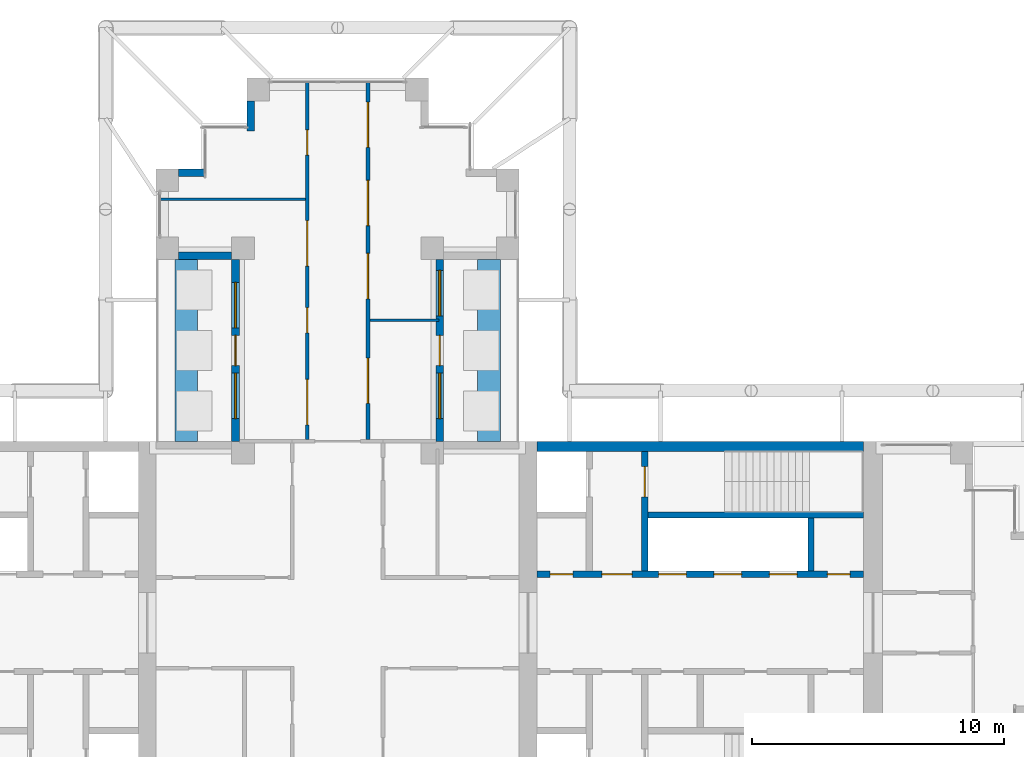
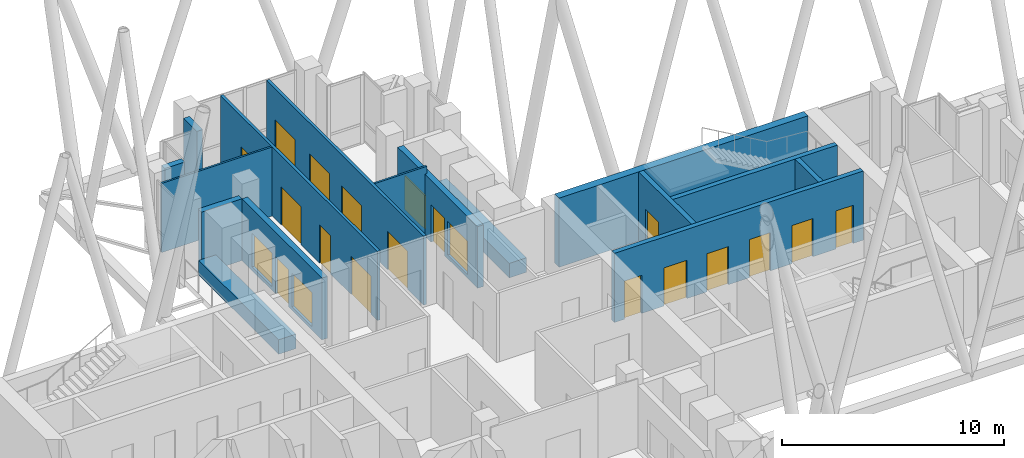
# One storey, part 14 of 19: 17 doors, 16 walls, 4 windows, 21 openings.
"""IFC4 building model written with IfcOpenShell, lengths in metres."""

from ifc_helpers import new_model, si_unit, direction, frame, frame_2d, origin, place, context, subcontext, project, spatial, rectangle, extrude, material, layer, layer_set, type_object, element, fill, save


model = new_model("IFC4")

# Units and contexts
model_context = context("Model", 3, precision=1e-05, world=origin(), true_north=direction((0.0, 1.0)))
body_context = subcontext(model_context, "Body", "Model", "MODEL_VIEW")
ifc_project = project(units=[si_unit("LENGTHUNIT", "METRE"), si_unit("AREAUNIT", "SQUARE_METRE"), si_unit("VOLUMEUNIT", "CUBIC_METRE"), si_unit("PLANEANGLEUNIT", "RADIAN"), si_unit("MASSUNIT", "GRAM", prefix="KILO")], contexts=[model_context])

# Site, building, storey
site_placement = place(None, origin())
site = spatial("IfcSite", under=ifc_project, at=site_placement, CompositionType="ELEMENT")
building_placement = place(site_placement, origin())
building = spatial("IfcBuilding", under=site, at=building_placement, Name="Fustian Cross Tower", CompositionType="ELEMENT")
storey_placement = place(building_placement, frame((0.0, 0.0, 166.5)))
storey = spatial("IfcBuildingStorey", under=building, at=storey_placement, Name="L52", CompositionType="ELEMENT", Elevation=166.5)

# Wall, openings, doors
ifc_material_1 = material(Name="Plasterboard on steel stud", Category="steel")
ifc_layer_1 = layer(ifc_material_1, 0.14990234375)
ifc_layer_set_1 = layer_set([ifc_layer_1], Name="Plasterboard on steel stud")
wall_type_1 = type_object("IfcWallType", Name="COMPARTMENT WALL 150 EI 60", PredefinedType="PARTITIONING", material=ifc_layer_set_1)
wall_1_placement = place(storey_placement, frame((-1.199951171875, 7.27490234375, 0.0), z_axis=(0.0, 0.0, 1.0), x_axis=(0.0, 1.0, 0.0)))
wall_1 = element("IfcWall", 1, at=wall_1_placement, inside=storey, type_object=wall_type_1, Name="Partition 14", PredefinedType="PARTITIONING", context=body_context, shape_type="SweptSolid", body=[
    extrude(rectangle(XDim=14.14501953125, YDim=0.14990234375, at=frame_2d((7.072509765625, 0.0))), origin(), (0.0, 0.0, 1.0), 3.800048828125),
])
opening_1_placement = place(wall_1_placement, frame((0.574951171875, 0.0, 0.0)))
opening_1 = element("IfcOpeningElement", 2, at=opening_1_placement, cuts=wall_1, Name="Opening D24014", PredefinedType="OPENING", context=body_context, shape_type="SweptSolid", body=[
    extrude(rectangle(XDim=1.800048828125, YDim=2.10009765625, at=frame_2d((0.89990234375, 1.050048828125))), frame((0.0, 0.0849609375, 0.0), z_axis=(0.0, -1.0, 0.0), x_axis=(1.0, 0.0, 0.0)), (0.0, 0.0, 1.0), 0.169921875),
])
opening_2_placement = place(wall_1_placement, frame((4.22509765625, 0.0, 0.0)))
opening_2 = element("IfcOpeningElement", 3, at=opening_2_placement, cuts=wall_1, Name="Opening D24015", PredefinedType="OPENING", context=body_context, shape_type="SweptSolid", body=[
    extrude(rectangle(XDim=1.0, YDim=2.10009765625, at=frame_2d((0.5, 1.050048828125))), frame((0.0, 0.0849609375, 0.0), z_axis=(0.0, -1.0, 0.0), x_axis=(1.0, 0.0, 0.0)), (0.0, 0.0, 1.0), 0.169921875),
])
opening_3_placement = place(wall_1_placement, frame((6.875, 0.0, 0.0)))
opening_3 = element("IfcOpeningElement", 4, at=opening_3_placement, cuts=wall_1, Name="Opening D24016", PredefinedType="OPENING", context=body_context, shape_type="SweptSolid", body=[
    extrude(rectangle(XDim=1.800048828125, YDim=2.10009765625, at=frame_2d((0.89990234375, 1.050048828125))), frame((0.0, 0.0849609375, 0.0), z_axis=(0.0, -1.0, 0.0), x_axis=(1.0, 0.0, 0.0)), (0.0, 0.0, 1.0), 0.169921875),
])
opening_4_placement = place(wall_1_placement, frame((11.27490234375, 0.0, 0.0)))
opening_4 = element("IfcOpeningElement", 5, at=opening_4_placement, cuts=wall_1, Name="Opening D24017", PredefinedType="OPENING", context=body_context, shape_type="SweptSolid", body=[
    extrude(rectangle(XDim=1.0, YDim=2.10009765625, at=frame_2d((0.5, 1.050048828125))), frame((0.0, 0.0849609375, 0.0), z_axis=(0.0, -1.0, 0.0), x_axis=(1.0, 0.0, 0.0)), (0.0, 0.0, 1.0), 0.169921875),
])
ifc_material_2 = material(Name="Timber fire door set", Category="wood")
door_type_1 = type_object("IfcDoorType", Name="FIRE DOUBLE DOOR 1800 FD30S", OperationType="DOUBLE_DOOR_DOUBLE_SWING", PredefinedType="DOOR", material=ifc_material_2)
door_1_placement = place(opening_1_placement, frame((1.800048828125, 0.0, 0.0), z_axis=(0.0, 0.0, 1.0), x_axis=(-1.0, 0.0, 0.0)))
door_1 = element("IfcDoor", 6, at=door_1_placement, inside=storey, type_object=door_type_1, Name="Door D24014", OperationType="DOUBLE_DOOR_DOUBLE_SWING", OverallHeight=2.10009765625, OverallWidth=1.800048828125, PredefinedType="DOOR", context=body_context, shape_type="SweptSolid", body=[
    extrude(rectangle(XDim=1.800048828125, YDim=2.10009765625, at=frame_2d((0.89990234375, 1.050048828125))), frame((0.0, 0.02490234375, 0.0), z_axis=(0.0, -1.0, 0.0), x_axis=(1.0, 0.0, 0.0)), (0.0, 0.0, 1.0), 0.050048828125),
])
fill(opening_1, door_1)
door_2_placement = place(opening_3_placement, frame((1.800048828125, 0.0, 0.0), z_axis=(0.0, 0.0, 1.0), x_axis=(-1.0, 0.0, 0.0)))
door_2 = element("IfcDoor", 7, at=door_2_placement, inside=storey, type_object=door_type_1, Name="Door D24016", OperationType="DOUBLE_DOOR_DOUBLE_SWING", OverallHeight=2.10009765625, OverallWidth=1.800048828125, PredefinedType="DOOR", context=body_context, shape_type="SweptSolid", body=[
    extrude(rectangle(XDim=1.800048828125, YDim=2.10009765625, at=frame_2d((0.89990234375, 1.050048828125))), frame((0.0, 0.02490234375, 0.0), z_axis=(0.0, -1.0, 0.0), x_axis=(1.0, 0.0, 0.0)), (0.0, 0.0, 1.0), 0.050048828125),
])
fill(opening_3, door_2)
ifc_material_3 = material(Name="Timber fire door set", Category="wood")
door_type_2 = type_object("IfcDoorType", Name="FIRE SWING DOOR 1000 FD30S", OperationType="SINGLE_SWING_LEFT", PredefinedType="DOOR", material=ifc_material_3)
door_3_placement = place(opening_2_placement, origin())
door_3 = element("IfcDoor", 8, at=door_3_placement, inside=storey, type_object=door_type_2, Name="Door D24015", OperationType="SINGLE_SWING_LEFT", OverallHeight=2.10009765625, OverallWidth=1.0, PredefinedType="DOOR", context=body_context, shape_type="SweptSolid", body=[
    extrude(rectangle(XDim=1.0, YDim=2.10009765625, at=frame_2d((0.5, 1.050048828125))), frame((0.0, 0.02490234375, 0.0), z_axis=(0.0, -1.0, 0.0), x_axis=(1.0, 0.0, 0.0)), (0.0, 0.0, 1.0), 0.050048828125),
])
fill(opening_2, door_3)
door_4_placement = place(opening_4_placement, origin())
door_4 = element("IfcDoor", 9, at=door_4_placement, inside=storey, type_object=door_type_2, Name="Door D24017", OperationType="SINGLE_SWING_LEFT", OverallHeight=2.10009765625, OverallWidth=1.0, PredefinedType="DOOR", context=body_context, shape_type="SweptSolid", body=[
    extrude(rectangle(XDim=1.0, YDim=2.10009765625, at=frame_2d((0.5, 1.050048828125))), frame((0.0, 0.02490234375, 0.0), z_axis=(0.0, -1.0, 0.0), x_axis=(1.0, 0.0, 0.0)), (0.0, 0.0, 1.0), 0.050048828125),
])
fill(opening_4, door_4)

wall_2_placement = place(storey_placement, frame((1.199951171875, 7.27490234375, 0.0), z_axis=(0.0, 0.0, 1.0), x_axis=(0.0, 1.0, 0.0)))
wall_2 = element("IfcWall", 10, at=wall_2_placement, inside=storey, type_object=wall_type_1, Name="Partition 15", PredefinedType="PARTITIONING", context=body_context, shape_type="SweptSolid", body=[
    extrude(rectangle(XDim=14.14501953125, YDim=0.14990234375, at=frame_2d((7.072509765625, 0.0))), origin(), (0.0, 0.0, 1.0), 3.800048828125),
])
opening_5_placement = place(wall_2_placement, frame((1.425048828125, 0.0, 0.0)))
opening_5 = element("IfcOpeningElement", 11, at=opening_5_placement, cuts=wall_2, Name="Opening D24018", PredefinedType="OPENING", context=body_context, shape_type="SweptSolid", body=[
    extrude(rectangle(XDim=1.800048828125, YDim=2.10009765625, at=frame_2d((0.89990234375, 1.050048828125))), frame((0.0, 0.0849609375, 0.0), z_axis=(0.0, -1.0, 0.0), x_axis=(1.0, 0.0, 0.0)), (0.0, 0.0, 1.0), 0.169921875),
])
opening_6_placement = place(wall_2_placement, frame((5.574951171875, 0.0, 0.0)))
opening_6 = element("IfcOpeningElement", 12, at=opening_6_placement, cuts=wall_2, Name="Opening D24019", PredefinedType="OPENING", context=body_context, shape_type="SweptSolid", body=[
    extrude(rectangle(XDim=1.800048828125, YDim=2.10009765625, at=frame_2d((0.89990234375, 1.050048828125))), frame((0.0, 0.0849609375, 0.0), z_axis=(0.0, -1.0, 0.0), x_axis=(1.0, 0.0, 0.0)), (0.0, 0.0, 1.0), 0.169921875),
])
opening_7_placement = place(wall_2_placement, frame((8.47509765625, 0.0, 0.0)))
opening_7 = element("IfcOpeningElement", 13, at=opening_7_placement, cuts=wall_2, Name="Opening D24020", PredefinedType="OPENING", context=body_context, shape_type="SweptSolid", body=[
    extrude(rectangle(XDim=1.800048828125, YDim=2.10009765625, at=frame_2d((0.89990234375, 1.050048828125))), frame((0.0, 0.0849609375, 0.0), z_axis=(0.0, -1.0, 0.0), x_axis=(1.0, 0.0, 0.0)), (0.0, 0.0, 1.0), 0.169921875),
])
opening_8_placement = place(wall_2_placement, frame((11.574951171875, 0.0, 0.0)))
opening_8 = element("IfcOpeningElement", 14, at=opening_8_placement, cuts=wall_2, Name="Opening D24021", PredefinedType="OPENING", context=body_context, shape_type="SweptSolid", body=[
    extrude(rectangle(XDim=1.800048828125, YDim=2.10009765625, at=frame_2d((0.89990234375, 1.050048828125))), frame((0.0, 0.0849609375, 0.0), z_axis=(0.0, -1.0, 0.0), x_axis=(1.0, 0.0, 0.0)), (0.0, 0.0, 1.0), 0.169921875),
])
door_5_placement = place(opening_5_placement, origin())
door_5 = element("IfcDoor", 15, at=door_5_placement, inside=storey, type_object=door_type_1, Name="Door D24018", OperationType="DOUBLE_DOOR_DOUBLE_SWING", OverallHeight=2.10009765625, OverallWidth=1.800048828125, PredefinedType="DOOR", context=body_context, shape_type="SweptSolid", body=[
    extrude(rectangle(XDim=1.800048828125, YDim=2.10009765625, at=frame_2d((0.89990234375, 1.050048828125))), frame((0.0, 0.02490234375, 0.0), z_axis=(0.0, -1.0, 0.0), x_axis=(1.0, 0.0, 0.0)), (0.0, 0.0, 1.0), 0.050048828125),
])
fill(opening_5, door_5)
door_6_placement = place(opening_6_placement, origin())
door_6 = element("IfcDoor", 16, at=door_6_placement, inside=storey, type_object=door_type_1, Name="Door D24019", OperationType="DOUBLE_DOOR_DOUBLE_SWING", OverallHeight=2.10009765625, OverallWidth=1.800048828125, PredefinedType="DOOR", context=body_context, shape_type="SweptSolid", body=[
    extrude(rectangle(XDim=1.800048828125, YDim=2.10009765625, at=frame_2d((0.89990234375, 1.050048828125))), frame((0.0, 0.02490234375, 0.0), z_axis=(0.0, -1.0, 0.0), x_axis=(1.0, 0.0, 0.0)), (0.0, 0.0, 1.0), 0.050048828125),
])
fill(opening_6, door_6)
door_7_placement = place(opening_7_placement, origin())
door_7 = element("IfcDoor", 17, at=door_7_placement, inside=storey, type_object=door_type_1, Name="Door D24020", OperationType="DOUBLE_DOOR_DOUBLE_SWING", OverallHeight=2.10009765625, OverallWidth=1.800048828125, PredefinedType="DOOR", context=body_context, shape_type="SweptSolid", body=[
    extrude(rectangle(XDim=1.800048828125, YDim=2.10009765625, at=frame_2d((0.89990234375, 1.050048828125))), frame((0.0, 0.02490234375, 0.0), z_axis=(0.0, -1.0, 0.0), x_axis=(1.0, 0.0, 0.0)), (0.0, 0.0, 1.0), 0.050048828125),
])
fill(opening_7, door_7)
door_8_placement = place(opening_8_placement, origin())
door_8 = element("IfcDoor", 18, at=door_8_placement, inside=storey, type_object=door_type_1, Name="Door D24021", OperationType="DOUBLE_DOOR_DOUBLE_SWING", OverallHeight=2.10009765625, OverallWidth=1.800048828125, PredefinedType="DOOR", context=body_context, shape_type="SweptSolid", body=[
    extrude(rectangle(XDim=1.800048828125, YDim=2.10009765625, at=frame_2d((0.89990234375, 1.050048828125))), frame((0.0, 0.02490234375, 0.0), z_axis=(0.0, -1.0, 0.0), x_axis=(1.0, 0.0, 0.0)), (0.0, 0.0, 1.0), 0.050048828125),
])
fill(opening_8, door_8)

# Wall
ifc_material_4 = material(Name="Concrete C50/60", Category="concrete")
ifc_layer_2 = layer(ifc_material_4, 0.39990234375)
ifc_layer_set_2 = layer_set([ifc_layer_2], Name="Concrete C50/60")
wall_type_2 = type_object("IfcWallType", Name="CORE FACADE WALL 400 C50/60", PredefinedType="SHEAR", material=ifc_layer_set_2)
wall_3_placement = place(storey_placement, frame((7.89990234375, 7.0, 0.0), z_axis=(0.0, 0.0, 1.0), x_axis=(1.0, 0.0, 0.0)))
element("IfcWall", 19, at=wall_3_placement, inside=storey, type_object=wall_type_2, Name="Core facade wall", PredefinedType="SHEAR", context=body_context, shape_type="SweptSolid", body=[
    extrude(rectangle(XDim=12.9501953125, YDim=0.39990234375, at=frame_2d((6.47509765625, 0.0))), origin(), (0.0, 0.0, 1.0), 3.800048828125),
])

# Wall, openings, doors
ifc_material_5 = material(Name="Concrete C50/60", Category="concrete")
ifc_layer_3 = layer(ifc_material_5, 0.25)
ifc_layer_set_3 = layer_set([ifc_layer_3], Name="Concrete C50/60")
wall_type_3 = type_object("IfcWallType", Name="CORE LOBBY WALL 250 C50/60", PredefinedType="SHEAR", material=ifc_layer_set_3)
wall_4_placement = place(storey_placement, frame((7.89990234375, 1.925048828125, 0.0), z_axis=(0.0, 0.0, 1.0), x_axis=(1.0, 0.0, 0.0)))
wall_4 = element("IfcWall", 20, at=wall_4_placement, inside=storey, type_object=wall_type_3, Name="Core lobby wall", PredefinedType="SHEAR", context=body_context, shape_type="SweptSolid", body=[
    extrude(rectangle(XDim=12.9501953125, YDim=0.25, at=frame_2d((6.47509765625, 0.0))), origin(), (0.0, 0.0, 1.0), 3.800048828125),
])
opening_9_placement = place(wall_4_placement, frame((4.824951171875, 0.0, 0.0)))
opening_9 = element("IfcOpeningElement", 21, at=opening_9_placement, cuts=wall_4, Name="Opening LD", PredefinedType="OPENING", context=body_context, shape_type="SweptSolid", body=[
    extrude(rectangle(XDim=1.10009765625, YDim=2.10009765625, at=frame_2d((0.550048828125, 1.050048828125))), frame((0.0, 0.135009765625, 0.0), z_axis=(0.0, -1.0, 0.0), x_axis=(1.0, 0.0, 0.0)), (0.0, 0.0, 1.0), 0.27001953125),
])
opening_10_placement = place(wall_4_placement, frame((7.02490234375, 0.0, 0.0)))
opening_10 = element("IfcOpeningElement", 22, at=opening_10_placement, cuts=wall_4, Name="Opening LD", PredefinedType="OPENING", context=body_context, shape_type="SweptSolid", body=[
    extrude(rectangle(XDim=1.10009765625, YDim=2.10009765625, at=frame_2d((0.550048828125, 1.050048828125))), frame((0.0, 0.135009765625, 0.0), z_axis=(0.0, -1.0, 0.0), x_axis=(1.0, 0.0, 0.0)), (0.0, 0.0, 1.0), 0.27001953125),
])
opening_11_placement = place(wall_4_placement, frame((9.22509765625, 0.0, 0.0)))
opening_11 = element("IfcOpeningElement", 23, at=opening_11_placement, cuts=wall_4, Name="Opening LD", PredefinedType="OPENING", context=body_context, shape_type="SweptSolid", body=[
    extrude(rectangle(XDim=1.10009765625, YDim=2.10009765625, at=frame_2d((0.550048828125, 1.050048828125))), frame((0.0, 0.135009765625, 0.0), z_axis=(0.0, -1.0, 0.0), x_axis=(1.0, 0.0, 0.0)), (0.0, 0.0, 1.0), 0.27001953125),
])
opening_12_placement = place(wall_4_placement, frame((0.52490234375, 0.0, 0.0)))
opening_12 = element("IfcOpeningElement", 24, at=opening_12_placement, cuts=wall_4, Name="Opening CD-21-08", PredefinedType="OPENING", context=body_context, shape_type="SweptSolid", body=[
    extrude(rectangle(XDim=0.89990234375, YDim=2.10009765625, at=frame_2d((0.449951171875, 1.050048828125))), frame((0.0, 0.135009765625, 0.0), z_axis=(0.0, -1.0, 0.0), x_axis=(1.0, 0.0, 0.0)), (0.0, 0.0, 1.0), 0.27001953125),
])
opening_13_placement = place(wall_4_placement, frame((2.574951171875, 0.0, 0.0)))
opening_13 = element("IfcOpeningElement", 25, at=opening_13_placement, cuts=wall_4, Name="Opening CD-21-10", PredefinedType="OPENING", context=body_context, shape_type="SweptSolid", body=[
    extrude(rectangle(XDim=1.199951171875, YDim=2.10009765625, at=frame_2d((0.60009765625, 1.050048828125))), frame((0.0, 0.135009765625, 0.0), z_axis=(0.0, -1.0, 0.0), x_axis=(1.0, 0.0, 0.0)), (0.0, 0.0, 1.0), 0.27001953125),
])
opening_14_placement = place(wall_4_placement, frame((11.52490234375, 0.0, 0.0)))
opening_14 = element("IfcOpeningElement", 26, at=opening_14_placement, cuts=wall_4, Name="Opening CD-21-14", PredefinedType="OPENING", context=body_context, shape_type="SweptSolid", body=[
    extrude(rectangle(XDim=0.89990234375, YDim=2.10009765625, at=frame_2d((0.449951171875, 1.050048828125))), frame((0.0, 0.135009765625, 0.0), z_axis=(0.0, -1.0, 0.0), x_axis=(1.0, 0.0, 0.0)), (0.0, 0.0, 1.0), 0.27001953125),
])
ifc_material_6 = material(Name="Steel", Category="steel")
door_type_3 = type_object("IfcDoorType", Name="FIRE DOOR FD30S 900X2100", OperationType="SINGLE_SWING_LEFT", PredefinedType="DOOR", material=ifc_material_6)
door_9_placement = place(opening_14_placement, origin())
door_9 = element("IfcDoor", 27, at=door_9_placement, inside=storey, type_object=door_type_3, Name="Core door CD-21-14", OperationType="SINGLE_SWING_LEFT", OverallHeight=2.10009765625, OverallWidth=0.89990234375, PredefinedType="DOOR", context=body_context, shape_type="SweptSolid", body=[
    extrude(rectangle(XDim=0.89990234375, YDim=2.10009765625, at=frame_2d((0.449951171875, 1.050048828125))), frame((0.0, 0.02490234375, 0.0), z_axis=(0.0, -1.0, 0.0), x_axis=(1.0, 0.0, 0.0)), (0.0, 0.0, 1.0), 0.050048828125),
])
fill(opening_14, door_9)
ifc_material_7 = material(Name="Steel", Category="steel")
door_type_4 = type_object("IfcDoorType", Name="FIRE DOOR FD60S 1200X2100", OperationType="SINGLE_SWING_LEFT", PredefinedType="DOOR", material=ifc_material_7)
door_10_placement = place(opening_13_placement, frame((1.199951171875, 0.0, 0.0), z_axis=(0.0, 0.0, 1.0), x_axis=(-1.0, 0.0, 0.0)))
door_10 = element("IfcDoor", 28, at=door_10_placement, inside=storey, type_object=door_type_4, Name="Core door CD-21-10", OperationType="SINGLE_SWING_RIGHT", OverallHeight=2.10009765625, OverallWidth=1.199951171875, PredefinedType="DOOR", context=body_context, shape_type="SweptSolid", body=[
    extrude(rectangle(XDim=1.199951171875, YDim=2.10009765625, at=frame_2d((0.60009765625, 1.050048828125))), frame((0.0, 0.02490234375, 0.0), z_axis=(0.0, -1.0, 0.0), x_axis=(1.0, 0.0, 0.0)), (0.0, 0.0, 1.0), 0.050048828125),
])
fill(opening_13, door_10)
ifc_material_8 = material(Name="Steel", Category="steel")
door_type_5 = type_object("IfcDoorType", Name="FIRE DOOR FD60S 900X2100", OperationType="SINGLE_SWING_LEFT", PredefinedType="DOOR", material=ifc_material_8)
door_11_placement = place(opening_12_placement, origin())
door_11 = element("IfcDoor", 29, at=door_11_placement, inside=storey, type_object=door_type_5, Name="Core door CD-21-08", OperationType="SINGLE_SWING_LEFT", OverallHeight=2.10009765625, OverallWidth=0.89990234375, PredefinedType="DOOR", context=body_context, shape_type="SweptSolid", body=[
    extrude(rectangle(XDim=0.89990234375, YDim=2.10009765625, at=frame_2d((0.449951171875, 1.050048828125))), frame((0.0, 0.02490234375, 0.0), z_axis=(0.0, -1.0, 0.0), x_axis=(1.0, 0.0, 0.0)), (0.0, 0.0, 1.0), 0.050048828125),
])
fill(opening_12, door_11)
ifc_material_9 = material(Name="Stainless steel", Category="steel")
door_type_6 = type_object("IfcDoorType", Name="LIFT LANDING DOOR 1100X2100", OperationType="SLIDING_TO_LEFT", PredefinedType="DOOR", material=ifc_material_9)
door_12_placement = place(opening_9_placement, origin())
door_12 = element("IfcDoor", 30, at=door_12_placement, inside=storey, type_object=door_type_6, Name="Landing door HR1", OperationType="SLIDING_TO_LEFT", OverallHeight=2.10009765625, OverallWidth=1.10009765625, PredefinedType="DOOR", context=body_context, shape_type="SweptSolid", body=[
    extrude(rectangle(XDim=1.10009765625, YDim=2.10009765625, at=frame_2d((0.550048828125, 1.050048828125))), frame((0.0, 0.02490234375, 0.0), z_axis=(0.0, -1.0, 0.0), x_axis=(1.0, 0.0, 0.0)), (0.0, 0.0, 1.0), 0.050048828125),
])
fill(opening_9, door_12)
door_13_placement = place(opening_10_placement, origin())
door_13 = element("IfcDoor", 31, at=door_13_placement, inside=storey, type_object=door_type_6, Name="Landing door HR2", OperationType="SLIDING_TO_LEFT", OverallHeight=2.10009765625, OverallWidth=1.10009765625, PredefinedType="DOOR", context=body_context, shape_type="SweptSolid", body=[
    extrude(rectangle(XDim=1.10009765625, YDim=2.10009765625, at=frame_2d((0.550048828125, 1.050048828125))), frame((0.0, 0.02490234375, 0.0), z_axis=(0.0, -1.0, 0.0), x_axis=(1.0, 0.0, 0.0)), (0.0, 0.0, 1.0), 0.050048828125),
])
fill(opening_10, door_13)
door_14_placement = place(opening_11_placement, origin())
door_14 = element("IfcDoor", 32, at=door_14_placement, inside=storey, type_object=door_type_6, Name="Landing door HR3", OperationType="SLIDING_TO_LEFT", OverallHeight=2.10009765625, OverallWidth=1.10009765625, PredefinedType="DOOR", context=body_context, shape_type="SweptSolid", body=[
    extrude(rectangle(XDim=1.10009765625, YDim=2.10009765625, at=frame_2d((0.550048828125, 1.050048828125))), frame((0.0, 0.02490234375, 0.0), z_axis=(0.0, -1.0, 0.0), x_axis=(1.0, 0.0, 0.0)), (0.0, 0.0, 1.0), 0.050048828125),
])
fill(opening_11, door_14)

# Wall
ifc_material_10 = material(Name="Concrete C50/60", Category="concrete")
ifc_layer_4 = layer(ifc_material_10, 0.25)
ifc_layer_set_4 = layer_set([ifc_layer_4], Name="Concrete C50/60")
wall_type_4 = type_object("IfcWallType", Name="CORE SHAFT WALL 250 C50/60", PredefinedType="SHEAR", material=ifc_layer_set_4)
wall_5_placement = place(storey_placement, frame((12.300048828125, 4.27490234375, 0.0), z_axis=(0.0, 0.0, 1.0), x_axis=(1.0, 0.0, 0.0)))
element("IfcWall", 33, at=wall_5_placement, inside=storey, type_object=wall_type_4, Name="Core shaft wall", PredefinedType="SHEAR", context=body_context, shape_type="SweptSolid", body=[
    extrude(rectangle(XDim=8.550048828125, YDim=0.25, at=frame_2d((4.27490234375, 0.0))), origin(), (0.0, 0.0, 1.0), 3.800048828125),
])

# Wall, opening, door
wall_6_placement = place(storey_placement, frame((12.175048828125, 2.050048828125, 0.0), z_axis=(0.0, 0.0, 1.0), x_axis=(0.0, 1.0, 0.0)))
wall_6 = element("IfcWall", 34, at=wall_6_placement, inside=storey, type_object=wall_type_4, Name="Core shaft wall", PredefinedType="SHEAR", context=body_context, shape_type="SweptSolid", body=[
    extrude(rectangle(XDim=4.75, YDim=0.25, at=frame_2d((2.375, 0.0))), origin(), (0.0, 0.0, 1.0), 3.800048828125),
])
opening_15_placement = place(wall_6_placement, frame((2.949951171875, 0.0, 0.0)))
opening_15 = element("IfcOpeningElement", 35, at=opening_15_placement, cuts=wall_6, Name="Opening CD-21-06", PredefinedType="OPENING", context=body_context, shape_type="SweptSolid", body=[
    extrude(rectangle(XDim=1.199951171875, YDim=2.10009765625, at=frame_2d((0.60009765625, 1.050048828125))), frame((0.0, 0.135009765625, 0.0), z_axis=(0.0, -1.0, 0.0), x_axis=(1.0, 0.0, 0.0)), (0.0, 0.0, 1.0), 0.27001953125),
])
door_15_placement = place(opening_15_placement, frame((1.199951171875, 0.0, 0.0), z_axis=(0.0, 0.0, 1.0), x_axis=(-1.0, 0.0, 0.0)))
door_15 = element("IfcDoor", 36, at=door_15_placement, inside=storey, type_object=door_type_4, Name="Core door CD-21-06", OperationType="SINGLE_SWING_RIGHT", OverallHeight=2.10009765625, OverallWidth=1.199951171875, PredefinedType="DOOR", context=body_context, shape_type="SweptSolid", body=[
    extrude(rectangle(XDim=1.199951171875, YDim=2.10009765625, at=frame_2d((0.60009765625, 1.050048828125))), frame((0.0, 0.02490234375, 0.0), z_axis=(0.0, -1.0, 0.0), x_axis=(1.0, 0.0, 0.0)), (0.0, 0.0, 1.0), 0.050048828125),
])
fill(opening_15, door_15)

# Walls
ifc_material_11 = material(Name="Plasterboard on steel stud", Category="steel")
ifc_layer_5 = layer(ifc_material_11, 0.10009765625)
ifc_layer_set_5 = layer_set([ifc_layer_5], Name="Plasterboard on steel stud")
wall_type_5 = type_object("IfcWallType", Name="PARTITION 100 STUD", PredefinedType="PARTITIONING", material=ifc_layer_set_5)
wall_7_placement = place(storey_placement, frame((-7.02001953125, 16.800048828125, 0.0), z_axis=(0.0, 0.0, 1.0), x_axis=(1.0, 0.0, 0.0)))
element("IfcWall", 37, at=wall_7_placement, inside=storey, type_object=wall_type_5, Name="Partition 7", PredefinedType="PARTITIONING", context=body_context, shape_type="SweptSolid", body=[
    extrude(rectangle(XDim=5.7451171875, YDim=0.10009765625, at=frame_2d((2.87255859375, 0.0))), origin(), (0.0, 0.0, 1.0), 3.800048828125),
])
wall_8_placement = place(storey_placement, frame((1.27490234375, 12.0, 0.0), z_axis=(0.0, 0.0, 1.0), x_axis=(1.0, 0.0, 0.0)))
element("IfcWall", 38, at=wall_8_placement, inside=storey, type_object=wall_type_5, Name="Partition 16", PredefinedType="PARTITIONING", context=body_context, shape_type="SweptSolid", body=[
    extrude(rectangle(XDim=2.7451171875, YDim=0.10009765625, at=frame_2d((1.37255859375, 0.0))), origin(), (0.0, 0.0, 1.0), 3.800048828125),
])
ifc_material_12 = material(Name="Concrete C40/50", Category="concrete")
ifc_layer_6 = layer(ifc_material_12, 0.89990234375)
ifc_layer_set_6 = layer_set([ifc_layer_6], Name="Concrete C40/50")
wall_type_6 = type_object("IfcWallType", Name="PK1 PLANTER 900", PredefinedType="PARAPET", material=ifc_layer_set_6)
for number, where, z_axis, x_axis, name in (
    (39, (6.0, 7.199951171875, 0.0), (0.0, 0.0, 1.0), (0.0, 1.0, 0.0), "PLANTER"),
    (40, (-6.0, 7.199951171875, 0.0), (0.0, 0.0, 1.0), (0.0, 1.0, 0.0), "PLANTER"),
):
    element("IfcWall", number, at=place(storey_placement, frame(where, z_axis=z_axis, x_axis=x_axis)), inside=storey, type_object=wall_type_6, Name=name, PredefinedType="PARAPET", context=body_context, shape_type="SweptSolid", body=[
        extrude(rectangle(XDim=7.199951171875, YDim=0.89990234375, at=frame_2d((3.60009765625, 0.0))), origin(), (0.0, 0.0, 1.0), 0.800048828125),
    ])
ifc_material_13 = material(Name="Concrete C40/50", Category="concrete")
ifc_layer_7 = layer(ifc_material_13, 0.25)
ifc_layer_set_7 = layer_set([ifc_layer_7], Name="Concrete C40/50")
wall_type_7 = type_object("IfcWallType", Name="SHAFT PARTITION WALL 250 C40/50", PredefinedType="PARTITIONING", material=ifc_layer_set_7)
wall_9_placement = place(storey_placement, frame((18.77490234375, 2.050048828125, 0.0), z_axis=(0.0, 0.0, 1.0), x_axis=(0.0, 1.0, 0.0)))
element("IfcWall", 41, at=wall_9_placement, inside=storey, type_object=wall_type_7, Name="Core shaft wall", PredefinedType="PARTITIONING", context=body_context, shape_type="SweptSolid", body=[
    extrude(rectangle(XDim=2.099853515625, YDim=0.25, at=frame_2d((1.0498046875, 0.0))), origin(), (0.0, 0.0, 1.0), 3.800048828125),
])

# Wall, openings, door, windows
ifc_material_14 = material(Name="Dark aluminium cladding on insulated backing wall", Category="aluminium")
ifc_layer_8 = layer(ifc_material_14, 0.300048828125)
ifc_layer_set_8 = layer_set([ifc_layer_8], Name="Dark aluminium cladding on insulated backing wall")
wall_type_8 = type_object("IfcWallType", Name="XW1 EXTERNAL WALL 300", PredefinedType="SOLIDWALL", material=ifc_layer_set_8)
wall_10_placement = place(storey_placement, frame((4.050048828125, 7.199951171875, 0.0), z_axis=(0.0, 0.0, 1.0), x_axis=(0.0, 1.0, 0.0)))
wall_10 = element("IfcWall", 42, at=wall_10_placement, inside=storey, type_object=wall_type_8, Name="External wall", PredefinedType="SOLIDWALL", context=body_context, shape_type="SweptSolid", body=[
    extrude(rectangle(XDim=7.199951171875, YDim=0.300048828125, at=frame_2d((3.60009765625, 0.0))), origin(), (0.0, 0.0, 1.0), 3.39990234375),
])
opening_16_placement = place(wall_10_placement, frame((3.0, 0.0, 0.0)))
opening_16 = element("IfcOpeningElement", 43, at=opening_16_placement, cuts=wall_10, Name="Opening XD1", PredefinedType="OPENING", context=body_context, shape_type="SweptSolid", body=[
    extrude(rectangle(XDim=1.199951171875, YDim=2.050048828125, at=frame_2d((0.60009765625, 1.02490234375))), frame((0.0, 0.159912109375, 0.0), z_axis=(0.0, -1.0, 0.0), x_axis=(1.0, 0.0, 0.0)), (0.0, 0.0, 1.0), 0.320068359375),
])
opening_17_placement = place(wall_10_placement, frame((0.89990234375, 0.0, 0.199951171875)))
opening_17 = element("IfcOpeningElement", 44, at=opening_17_placement, cuts=wall_10, Name="Opening WN2", PredefinedType="OPENING", context=body_context, shape_type="SweptSolid", body=[
    extrude(rectangle(XDim=1.800048828125, YDim=1.85009765625, at=frame_2d((0.89990234375, 0.925048828125))), frame((0.0, 0.159912109375, 0.0), z_axis=(0.0, -1.0, 0.0), x_axis=(1.0, 0.0, 0.0)), (0.0, 0.0, 1.0), 0.320068359375),
])
opening_18_placement = place(wall_10_placement, frame((4.97509765625, 0.0, 0.199951171875)))
opening_18 = element("IfcOpeningElement", 45, at=opening_18_placement, cuts=wall_10, Name="Opening WN2", PredefinedType="OPENING", context=body_context, shape_type="SweptSolid", body=[
    extrude(rectangle(XDim=1.800048828125, YDim=1.85009765625, at=frame_2d((0.89990234375, 0.925048828125))), frame((0.0, 0.159912109375, 0.0), z_axis=(0.0, -1.0, 0.0), x_axis=(1.0, 0.0, 0.0)), (0.0, 0.0, 1.0), 0.320068359375),
])
ifc_material_15 = material(Name="Dark anodised aluminium and double glazing", Category="aluminium")
door_type_7 = type_object("IfcDoorType", Name="ED1 BALCONY DOOR 1200X2050", OperationType="SINGLE_SWING_LEFT", PredefinedType="DOOR", material=ifc_material_15)
door_16_placement = place(opening_16_placement, origin())
door_16 = element("IfcDoor", 46, at=door_16_placement, inside=storey, type_object=door_type_7, Name="Balcony door", OperationType="SINGLE_SWING_LEFT", OverallHeight=2.050048828125, OverallWidth=1.199951171875, PredefinedType="DOOR", context=body_context, shape_type="SweptSolid", body=[
    extrude(rectangle(XDim=1.199951171875, YDim=2.050048828125, at=frame_2d((0.60009765625, 1.02490234375))), frame((0.0, 0.02490234375, 0.0), z_axis=(0.0, -1.0, 0.0), x_axis=(1.0, 0.0, 0.0)), (0.0, 0.0, 1.0), 0.050048828125),
])
fill(opening_16, door_16)
ifc_material_16 = material(Name="Dark anodised aluminium and double glazing", Category="aluminium")
window_type = type_object("IfcWindowType", Name="WN2 WINDOW 1800X1850", PartitioningType="SINGLE_PANEL", PredefinedType="WINDOW", material=ifc_material_16)
window_1_placement = place(opening_17_placement, origin())
window_1 = element("IfcWindow", 47, at=window_1_placement, inside=storey, type_object=window_type, Name="Window", OverallHeight=1.85009765625, OverallWidth=1.800048828125, PartitioningType="SINGLE_PANEL", PredefinedType="WINDOW", context=body_context, shape_type="SweptSolid", body=[
    extrude(rectangle(XDim=1.800048828125, YDim=1.85009765625, at=frame_2d((0.89990234375, 0.925048828125))), frame((0.0, 0.030029296875, 0.0), z_axis=(0.0, -1.0, 0.0), x_axis=(1.0, 0.0, 0.0)), (0.0, 0.0, 1.0), 0.06005859375),
])
fill(opening_17, window_1)
window_2_placement = place(opening_18_placement, origin())
window_2 = element("IfcWindow", 48, at=window_2_placement, inside=storey, type_object=window_type, Name="Window", OverallHeight=1.85009765625, OverallWidth=1.800048828125, PartitioningType="SINGLE_PANEL", PredefinedType="WINDOW", context=body_context, shape_type="SweptSolid", body=[
    extrude(rectangle(XDim=1.800048828125, YDim=1.85009765625, at=frame_2d((0.89990234375, 0.925048828125))), frame((0.0, 0.030029296875, 0.0), z_axis=(0.0, -1.0, 0.0), x_axis=(1.0, 0.0, 0.0)), (0.0, 0.0, 1.0), 0.06005859375),
])
fill(opening_18, window_2)

# Walls
wall_11_placement = place(storey_placement, frame((-3.449951171875, 20.699951171875, 0.0), z_axis=(0.0, 0.0, 1.0), x_axis=(0.0, -1.0, 0.0)))
element("IfcWall", 49, at=wall_11_placement, inside=storey, type_object=wall_type_8, Name="External wall", PredefinedType="SOLIDWALL", context=body_context, shape_type="SweptSolid", body=[
    extrude(rectangle(XDim=1.199951171875, YDim=0.300048828125, at=frame_2d((0.60009765625, 0.0))), origin(), (0.0, 0.0, 1.0), 3.800048828125),
])
wall_12_placement = place(storey_placement, frame((-5.280029296875, 17.85009765625, 0.0), z_axis=(0.0, 0.0, 1.0), x_axis=(-1.0, 0.0, 0.0)))
element("IfcWall", 50, at=wall_12_placement, inside=storey, type_object=wall_type_8, Name="External wall", PredefinedType="SOLIDWALL", context=body_context, shape_type="SweptSolid", body=[
    extrude(rectangle(XDim=1.02001953125, YDim=0.300048828125, at=frame_2d((0.510009765625, 0.0))), origin(), (0.0, 0.0, 1.0), 3.800048828125),
])
wall_13_placement = place(storey_placement, frame((-6.300048828125, 14.550048828125, 0.0), z_axis=(0.0, 0.0, 1.0), x_axis=(1.0, 0.0, 0.0)))
element("IfcWall", 51, at=wall_13_placement, inside=storey, type_object=wall_type_8, Name="External wall", PredefinedType="SOLIDWALL", context=body_context, shape_type="SweptSolid", body=[
    extrude(rectangle(XDim=2.10009765625, YDim=0.300048828125, at=frame_2d((1.050048828125, 0.0))), origin(), (0.0, 0.0, 1.0), 3.39990234375),
])

# Wall, openings, door, windows
wall_14_placement = place(storey_placement, frame((-4.050048828125, 14.39990234375, 0.0), z_axis=(0.0, 0.0, 1.0), x_axis=(0.0, -1.0, 0.0)))
wall_14 = element("IfcWall", 52, at=wall_14_placement, inside=storey, type_object=wall_type_8, Name="External wall", PredefinedType="SOLIDWALL", context=body_context, shape_type="SweptSolid", body=[
    extrude(rectangle(XDim=7.199951171875, YDim=0.300048828125, at=frame_2d((3.60009765625, 0.0))), origin(), (0.0, 0.0, 1.0), 3.39990234375),
])
opening_19_placement = place(wall_14_placement, frame((3.0, 0.0, 0.0)))
opening_19 = element("IfcOpeningElement", 53, at=opening_19_placement, cuts=wall_14, Name="Opening XD2", PredefinedType="OPENING", context=body_context, shape_type="SweptSolid", body=[
    extrude(rectangle(XDim=1.199951171875, YDim=2.050048828125, at=frame_2d((0.60009765625, 1.02490234375))), frame((0.0, 0.159912109375, 0.0), z_axis=(0.0, -1.0, 0.0), x_axis=(1.0, 0.0, 0.0)), (0.0, 0.0, 1.0), 0.320068359375),
])
opening_20_placement = place(wall_14_placement, frame((0.89990234375, 0.0, 0.199951171875)))
opening_20 = element("IfcOpeningElement", 54, at=opening_20_placement, cuts=wall_14, Name="Opening WN2", PredefinedType="OPENING", context=body_context, shape_type="SweptSolid", body=[
    extrude(rectangle(XDim=1.800048828125, YDim=1.85009765625, at=frame_2d((0.89990234375, 0.925048828125))), frame((0.0, 0.159912109375, 0.0), z_axis=(0.0, -1.0, 0.0), x_axis=(1.0, 0.0, 0.0)), (0.0, 0.0, 1.0), 0.320068359375),
])
opening_21_placement = place(wall_14_placement, frame((4.5, 0.0, 0.199951171875)))
opening_21 = element("IfcOpeningElement", 55, at=opening_21_placement, cuts=wall_14, Name="Opening WN2", PredefinedType="OPENING", context=body_context, shape_type="SweptSolid", body=[
    extrude(rectangle(XDim=1.800048828125, YDim=1.85009765625, at=frame_2d((0.89990234375, 0.925048828125))), frame((0.0, 0.159912109375, 0.0), z_axis=(0.0, -1.0, 0.0), x_axis=(1.0, 0.0, 0.0)), (0.0, 0.0, 1.0), 0.320068359375),
])
door_17_placement = place(opening_19_placement, origin())
door_17 = element("IfcDoor", 56, at=door_17_placement, inside=storey, type_object=door_type_7, Name="Balcony door", OperationType="SINGLE_SWING_LEFT", OverallHeight=2.050048828125, OverallWidth=1.199951171875, PredefinedType="DOOR", context=body_context, shape_type="SweptSolid", body=[
    extrude(rectangle(XDim=1.199951171875, YDim=2.050048828125, at=frame_2d((0.60009765625, 1.02490234375))), frame((0.0, 0.02490234375, 0.0), z_axis=(0.0, -1.0, 0.0), x_axis=(1.0, 0.0, 0.0)), (0.0, 0.0, 1.0), 0.050048828125),
])
fill(opening_19, door_17)
window_3_placement = place(opening_20_placement, origin())
window_3 = element("IfcWindow", 57, at=window_3_placement, inside=storey, type_object=window_type, Name="Window", OverallHeight=1.85009765625, OverallWidth=1.800048828125, PartitioningType="SINGLE_PANEL", PredefinedType="WINDOW", context=body_context, shape_type="SweptSolid", body=[
    extrude(rectangle(XDim=1.800048828125, YDim=1.85009765625, at=frame_2d((0.89990234375, 0.925048828125))), frame((0.0, 0.030029296875, 0.0), z_axis=(0.0, -1.0, 0.0), x_axis=(1.0, 0.0, 0.0)), (0.0, 0.0, 1.0), 0.06005859375),
])
fill(opening_20, window_3)
window_4_placement = place(opening_21_placement, origin())
window_4 = element("IfcWindow", 58, at=window_4_placement, inside=storey, type_object=window_type, Name="Window", OverallHeight=1.85009765625, OverallWidth=1.800048828125, PartitioningType="SINGLE_PANEL", PredefinedType="WINDOW", context=body_context, shape_type="SweptSolid", body=[
    extrude(rectangle(XDim=1.800048828125, YDim=1.85009765625, at=frame_2d((0.89990234375, 0.925048828125))), frame((0.0, 0.030029296875, 0.0), z_axis=(0.0, -1.0, 0.0), x_axis=(1.0, 0.0, 0.0)), (0.0, 0.0, 1.0), 0.06005859375),
])
fill(opening_21, window_4)

save(model, "model.ifc")
